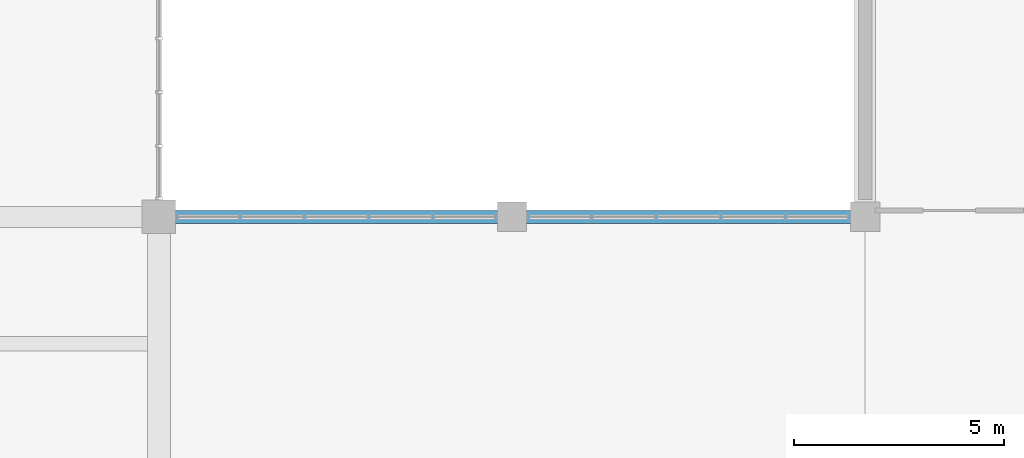
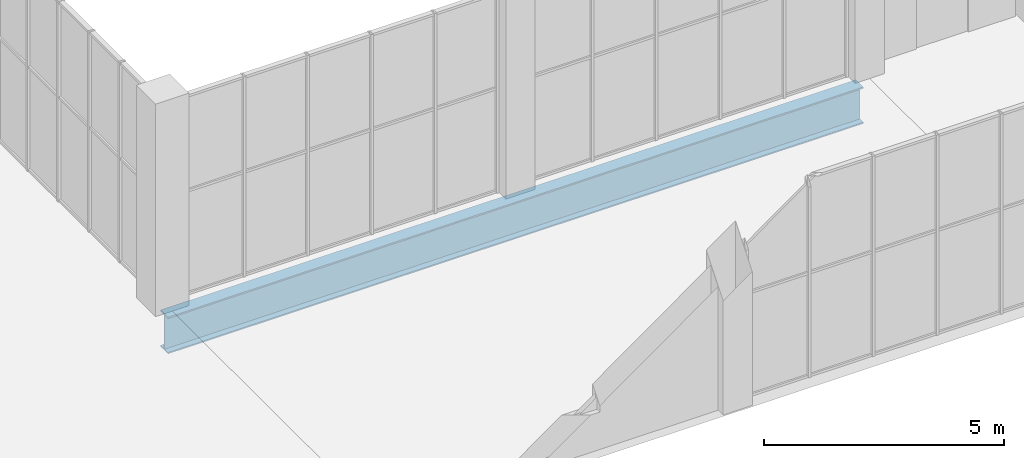
# One storey, part 29 of 91: 1 beam.
"""IFC4 building model written with IfcOpenShell, lengths in metres."""

import ifcopenshell
import ifcopenshell.guid

model = None  # the IFC model being written
_history = None  # IfcOwnerHistory: only IFC2X3 demands one
_inside = {}  # id of a spatial element -> (the spatial element, [elements in it])
_under = {}  # id of a project, library or spatial element -> (it, [spatial elements below it])
_declared = {}  # id of a project -> (the project, [libraries it declares])
_typed = {}  # id of a type object -> (the type object, [elements of that type])
_made_of = {}  # id of a material, layer set ... -> (it, [elements and type objects made of it])


def new_model(schema):
    """Start an empty IFC model of exactly this schema.

    Asked for "IFC4X3", IfcOpenShell would pick the latest addendum, in which some entities
    have other attributes; the version numbers below select the first issue.
    IFC2X3 requires an IfcOwnerHistory on every rooted entity: one is made here for all.
    """
    global model, _history
    if schema == "IFC4X3":
        model = ifcopenshell.file(schema_version=(4, 3, 0, 0))
    else:
        model = ifcopenshell.file(schema=schema)
    _inside.clear()
    _under.clear()
    _declared.clear()
    _typed.clear()
    _made_of.clear()
    _history = None
    if model.schema == "IFC2X3":
        org = make("IfcOrganization", Name="unknown")
        user = make(
            "IfcPersonAndOrganization",
            ThePerson=make("IfcPerson", FamilyName="unknown"),
            TheOrganization=org,
        )
        app = make(
            "IfcApplication",
            ApplicationDeveloper=org,
            Version="unknown",
            ApplicationFullName="unknown",
            ApplicationIdentifier="unknown",
        )
        _history = make(
            "IfcOwnerHistory",
            OwningUser=user,
            OwningApplication=app,
            ChangeAction="ADDED",
            CreationDate=0,
        )
    return model


def make(cls, **values):
    """One entity of the class cls with the attributes given. An attribute that is None is left unset."""
    return model.create_entity(
        cls, **{name: value for name, value in values.items() if value is not None}
    )


def rooted(cls, **values):
    """An entity with a GlobalId (a new one), such as an element, a storey or a relation."""
    return make(cls, GlobalId=ifcopenshell.guid.new(), OwnerHistory=_history, **values)


def si_unit(unit_type, name, prefix=None):
    """IfcSIUnit, for example si_unit("LENGTHUNIT", "METRE", prefix="MILLI")."""
    return make("IfcSIUnit", UnitType=unit_type, Prefix=prefix, Name=name)


def assignment(units):
    """IfcUnitAssignment: the units of a project."""
    return None if units is None else make("IfcUnitAssignment", Units=units)


def point(xyz):
    """IfcCartesianPoint."""
    return None if xyz is None else make("IfcCartesianPoint", Coordinates=xyz)


def direction(xyz):
    """IfcDirection."""
    return None if xyz is None else make("IfcDirection", DirectionRatios=xyz)


def frame(location, z_axis=None, x_axis=None):
    """IfcAxis2Placement3D, a coordinate frame: its origin and axes. An axis left out is left unset."""
    return make(
        "IfcAxis2Placement3D",
        Location=point(location),
        Axis=direction(z_axis),
        RefDirection=direction(x_axis),
    )


def frame_2d(location, x_axis=None):
    """IfcAxis2Placement2D, a coordinate frame in the plane: its origin and x axis."""
    return make(
        "IfcAxis2Placement2D", Location=point(location), RefDirection=direction(x_axis)
    )


def origin():
    """The frame at (0, 0, 0) with its axes left unset."""
    return frame((0.0, 0.0, 0.0))


def origin_2d():
    """The frame at (0, 0) in the plane with its x axis left unset."""
    return frame_2d((0.0, 0.0))


def place(relative_to, where):
    """IfcLocalPlacement: puts the frame where relative to a parent placement (None: the world)."""
    return make(
        "IfcLocalPlacement", PlacementRelTo=relative_to, RelativePlacement=where
    )


def context(
    kind, dimensions, precision=None, world=None, true_north=None, identifier=None
):
    """IfcGeometricRepresentationContext, for example the 3D "Model" context."""
    return make(
        "IfcGeometricRepresentationContext",
        ContextIdentifier=identifier,
        ContextType=kind,
        CoordinateSpaceDimension=dimensions,
        Precision=precision,
        WorldCoordinateSystem=world,
        TrueNorth=true_north,
    )


def subcontext(parent, identifier, kind, view, scale=None):
    """IfcGeometricRepresentationSubContext, for example "Body" below "Model"."""
    return make(
        "IfcGeometricRepresentationSubContext",
        ContextIdentifier=identifier,
        ContextType=kind,
        ParentContext=parent,
        TargetScale=scale,
        TargetView=view,
    )


def project(units=None, contexts=None):
    """IfcProject with its units and contexts."""
    return rooted(
        "IfcProject",
        Name="project",
        RepresentationContexts=contexts,
        UnitsInContext=assignment(units),
    )


def spatial(cls, under=None, at=None, **own):
    """A site, building, storey or space (cls), placed at a placement, below another one or the project."""
    s = rooted(cls, ObjectPlacement=at, **own)
    if under is not None:
        _under.setdefault(under.id(), (under, []))[1].append(s)
    return s


def profile(cls, at=None, kind="AREA", **sizes):
    """A parametric profile (cls). Its sizes go by their IFC names, for example OverallWidth=200.0."""
    return make(cls, ProfileType=kind, Position=at, **sizes)


def i_section(**sizes):
    """IfcIShapeProfileDef."""
    return profile("IfcIShapeProfileDef", **sizes)


def extrude(swept, where, along, depth):
    """IfcExtrudedAreaSolid: the profile swept, set in the frame where, extruded along a direction by depth."""
    return make(
        "IfcExtrudedAreaSolid",
        SweptArea=swept,
        Position=where,
        ExtrudedDirection=direction(along),
        Depth=depth,
    )


def shape(context_of_items, identifier, shape_type, items):
    """IfcShapeRepresentation: the items that make up one representation, for example the "Body"."""
    return make(
        "IfcShapeRepresentation",
        ContextOfItems=context_of_items,
        RepresentationIdentifier=identifier,
        RepresentationType=shape_type,
        Items=items,
    )


def material(Name=None, Category=None):
    """IfcMaterial."""
    return make("IfcMaterial", Name=Name, Category=Category)


def material_profile(
    of_material, cross_section, Name=None, Category=None, Priority=None
):
    """IfcMaterialProfile: a cross section and its material."""
    return make(
        "IfcMaterialProfile",
        Name=Name,
        Material=of_material,
        Profile=cross_section,
        Priority=Priority,
        Category=Category,
    )


def profile_set(profiles, Name=None, composite=None):
    """IfcMaterialProfileSet."""
    return make(
        "IfcMaterialProfileSet",
        Name=Name,
        MaterialProfiles=profiles,
        CompositeProfile=composite,
    )


def made_of(thing, what):
    """Note that an element or type object is made of a material, layer set ...; save() writes the relation."""
    if what is not None:
        _made_of.setdefault(what.id(), (what, []))[1].append(thing)
    return thing


def type_object(cls, material=None, **own):
    """A type object (cls), such as IfcWallType, which elements share."""
    return made_of(rooted(cls, **own), material)


def element(
    cls,
    number,
    at=None,
    inside=None,
    cuts=None,
    type_object=None,
    material=None,
    context=None,
    identifier="Body",
    shape_type=None,
    held_by="IfcProductDefinitionShape",
    body=None,
    shapes=None,
    **own,
):
    """One element of the class cls, such as IfcWall. Its Tag is "e" and its number.

    at: its placement. inside: the storey or other place that contains it. cuts: it is an
    opening in that element (IfcRelVoidsElement). A single representation is given by context,
    identifier, shape_type and body (its items); several are given by shapes. held_by: the class
    of the entity that holds the representations. save() writes the other relations.
    """
    e = rooted(cls, Tag="e%d" % number, ObjectPlacement=at, **own)
    if body is not None:
        shapes = [shape(context, identifier, shape_type, body)]
    if shapes is not None:
        e.Representation = make(held_by, Representations=shapes)
    if inside is not None:
        _inside.setdefault(inside.id(), (inside, []))[1].append(e)
    if cuts is not None:
        rooted(
            "IfcRelVoidsElement", RelatingBuildingElement=cuts, RelatedOpeningElement=e
        )
    if type_object is not None:
        _typed.setdefault(type_object.id(), (type_object, []))[1].append(e)
    return made_of(e, material)


def aggregate(whole, parts):
    """IfcRelAggregates: a whole, such as a stair, and the parts it consists of."""
    return rooted("IfcRelAggregates", RelatingObject=whole, RelatedObjects=parts)


def save(model, path):
    """Write the relations noted so far, then the file.

    IfcRelAggregates (storeys below a building ...), IfcRelContainedInSpatialStructure (elements
    in a storey), IfcRelDefinesByType, IfcRelAssociatesMaterial and IfcRelDeclares: one each for
    every whole, place, type object, material and project.
    """
    for whole, parts in _under.values():
        aggregate(whole, parts)
    for where, things in _inside.values():
        rooted(
            "IfcRelContainedInSpatialStructure",
            RelatedElements=things,
            RelatingStructure=where,
        )
    for kind, things in _typed.values():
        rooted("IfcRelDefinesByType", RelatedObjects=things, RelatingType=kind)
    for what, things in _made_of.values():
        rooted("IfcRelAssociatesMaterial", RelatedObjects=things, RelatingMaterial=what)
    for by, libraries in _declared.values():
        rooted("IfcRelDeclares", RelatingContext=by, RelatedDefinitions=libraries)
    model.write(path)


model = new_model("IFC4")

# Units and contexts
model_context = context("Model", 3, precision=1e-05, world=origin(), true_north=direction((0.0, 1.0)))
body_context = subcontext(model_context, "Body", "Model", "MODEL_VIEW")
ifc_project = project(units=[si_unit("LENGTHUNIT", "METRE"), si_unit("AREAUNIT", "SQUARE_METRE"), si_unit("VOLUMEUNIT", "CUBIC_METRE"), si_unit("PLANEANGLEUNIT", "RADIAN"), si_unit("MASSUNIT", "GRAM", prefix="KILO")], contexts=[model_context])

# Site, building, storey
site_placement = place(None, origin())
site = spatial("IfcSite", under=ifc_project, at=site_placement, CompositionType="ELEMENT")
building_placement = place(site_placement, origin())
building = spatial("IfcBuilding", under=site, at=building_placement, Name="Khurvash Pelagic Aquarium", CompositionType="ELEMENT")
storey_placement = place(building_placement, origin())
storey = spatial("IfcBuildingStorey", under=building, at=storey_placement, Name="L00", CompositionType="ELEMENT", Elevation=0.0)

# Beam
ifc_material = material(Name="Steel ASTM A992 Grade 50", Category="steel")
ifc_material_profile = material_profile(ifc_material, i_section(OverallWidth=0.31005859375, OverallDepth=0.931884765625, WebThickness=0.02099609375, FlangeThickness=0.034423828125, at=origin_2d()), Name="W36X210")
ifc_profile_set = profile_set([ifc_material_profile], Name="Steel ASTM A992 Grade 50")
beam_type = type_object("IfcBeamType", Name="BM-13", PredefinedType="BEAM", material=ifc_profile_set)
beam_placement = place(storey_placement, frame((109.239990234375, 29.75, -0.785888671875), z_axis=(1.0, 0.0, 0.0), x_axis=(0.0, 1.0, 0.0)))
element("IfcBeam", 1, at=beam_placement, inside=storey, type_object=beam_type, Name="L00 Primary Girder BM-13 00041", PredefinedType="BEAM", context=body_context, shape_type="SweptSolid", body=[
    extrude(i_section(OverallWidth=0.31005859375, OverallDepth=0.931884765625, WebThickness=0.02099609375, FlangeThickness=0.034423828125, at=origin_2d()), origin(), (0.0, 0.0, 1.0), 16.719970703125),
])

save(model, "model.ifc")
